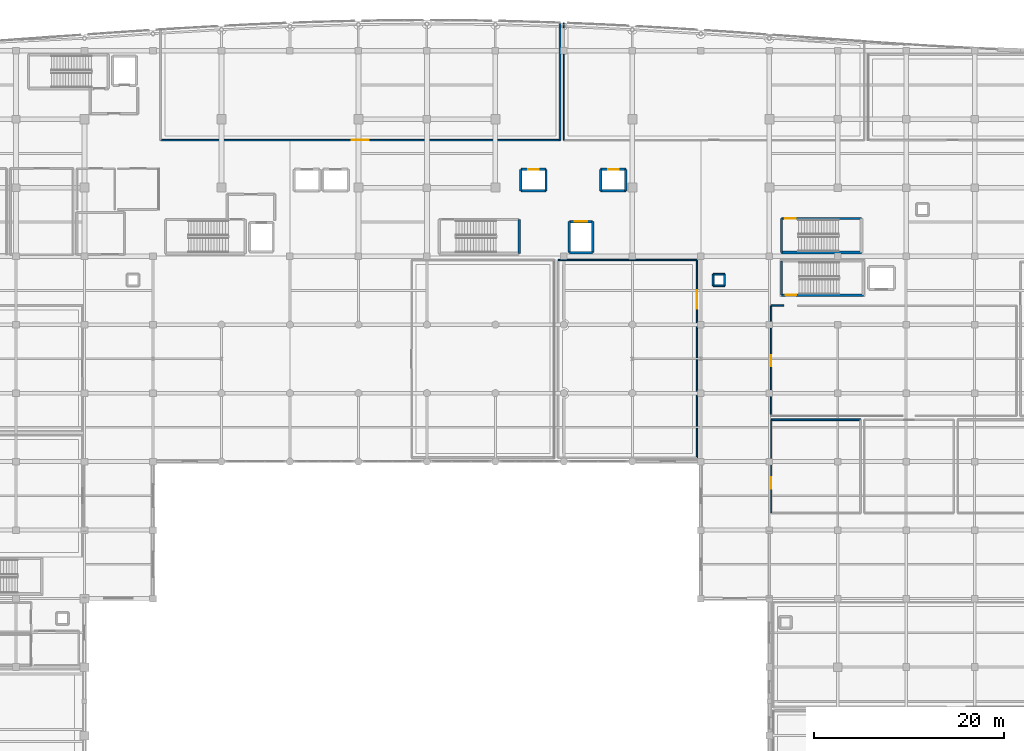
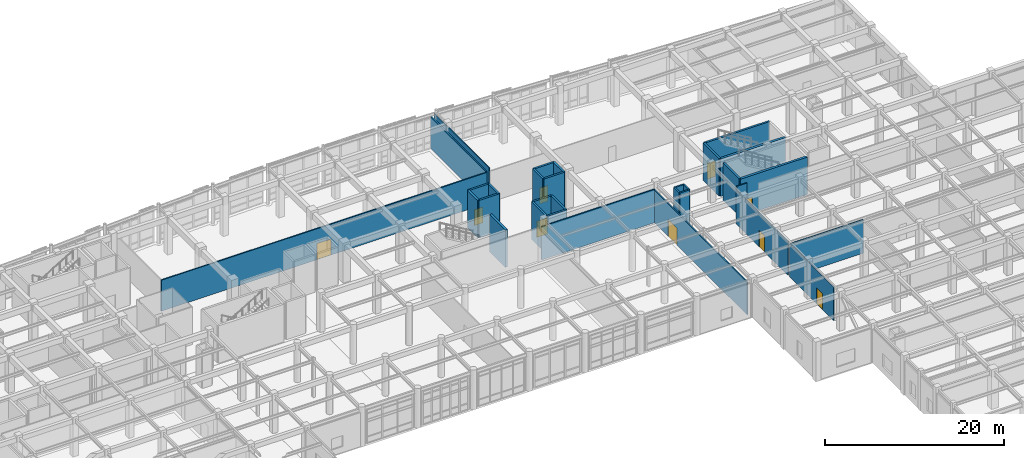
# One storey, part 78 of 102: 31 walls, 9 doors, 9 openings.
"""IFC4 building model written with IfcOpenShell, lengths in metres."""

from ifc_helpers import new_model, si_unit, direction, frame, frame_2d, origin, place, context, subcontext, project, spatial, rectangle, extrude, material, layer, layer_set, type_object, element, fill, save


model = new_model("IFC4")

# Units and contexts
model_context = context("Model", 3, precision=1e-05, world=origin(), true_north=direction((0.0, 1.0)))
body_context = subcontext(model_context, "Body", "Model", "MODEL_VIEW")
ifc_project = project(units=[si_unit("LENGTHUNIT", "METRE"), si_unit("AREAUNIT", "SQUARE_METRE"), si_unit("VOLUMEUNIT", "CUBIC_METRE"), si_unit("PLANEANGLEUNIT", "RADIAN"), si_unit("MASSUNIT", "GRAM", prefix="KILO")], contexts=[model_context])

# Site, building, storey
site_placement = place(None, origin())
site = spatial("IfcSite", under=ifc_project, at=site_placement, CompositionType="ELEMENT")
building_placement = place(site_placement, origin())
building = spatial("IfcBuilding", under=site, at=building_placement, Name="Carrowvane Square Congress Hotel", CompositionType="ELEMENT")
storey_placement = place(building_placement, origin())
storey = spatial("IfcBuildingStorey", under=building, at=storey_placement, Name="L00", CompositionType="ELEMENT", Elevation=0.0)

# Wall
ifc_material_1 = material(Name="Acoustic gypsum board", Category="gypsum")
ifc_layer_1 = layer(ifc_material_1, 0.155029296875)
ifc_layer_set_1 = layer_set([ifc_layer_1], Name="Acoustic gypsum board")
wall_type_1 = type_object("IfcWallType", Name="WL-FIR-155", PredefinedType="PARTITIONING", material=ifc_layer_set_1)
wall_1_placement = place(storey_placement, frame((111.800048828125, 91.39990234375, 0.0), z_axis=(0.0, 0.0, 1.0), x_axis=(1.0, 0.0, 0.0)))
element("IfcWall", 1, at=wall_1_placement, inside=storey, type_object=wall_type_1, Name="L00 Artisan Coffee Roastery and Bakery partition", PredefinedType="PARTITIONING", context=body_context, shape_type="SweptSolid", body=[
    extrude(rectangle(XDim=14.599853515625, YDim=0.155029296875, at=frame_2d((7.2998046875, 0.0))), origin(), (0.0, 0.0, 1.0), 4.54833984375),
])

# Wall, opening, door
wall_2_placement = place(storey_placement, frame((112.0, 104.0, 0.0), z_axis=(0.0, 0.0, 1.0), x_axis=(-1.0, 0.0, 0.0)))
wall_2 = element("IfcWall", 2, at=wall_2_placement, inside=storey, type_object=wall_type_1, Name="L00 Hotel Grand Entrance Lobby and Reception partition", PredefinedType="PARTITIONING", context=body_context, shape_type="SweptSolid", body=[
    extrude(rectangle(XDim=42.0, YDim=0.155029296875, at=frame_2d((21.0, 0.0))), origin(), (0.0, 0.0, 1.0), 4.235107421875),
])
opening_1_placement = place(wall_2_placement, frame((20.10009765625, 0.0, 0.0)))
opening_1 = element("IfcOpeningElement", 3, at=opening_1_placement, cuts=wall_2, Name="Opening FD-05", PredefinedType="OPENING", context=body_context, shape_type="SweptSolid", body=[
    extrude(rectangle(XDim=1.800048828125, YDim=2.199951171875, at=frame_2d((0.89990234375, 1.10009765625))), frame((0.0, 0.08740234375, 0.0), z_axis=(0.0, -1.0, 0.0), x_axis=(1.0, 0.0, 0.0)), (0.0, 0.0, 1.0), 0.175048828125),
])
ifc_material_2 = material(Name="European oak timber", Category="wood")
door_type_1 = type_object("IfcDoorType", Name="DR-FD60-1800x2200", OperationType="DOUBLE_DOOR_SINGLE_SWING", PredefinedType="DOOR", material=ifc_material_2)
door_1_placement = place(opening_1_placement, origin())
door_1 = element("IfcDoor", 4, at=door_1_placement, inside=storey, type_object=door_type_1, Name="L00 Hotel Grand Entrance Lobby and Reception entrance door", OperationType="DOUBLE_DOOR_SINGLE_SWING", OverallHeight=2.199951171875, OverallWidth=1.800048828125, PredefinedType="DOOR", context=body_context, shape_type="SweptSolid", body=[
    extrude(rectangle(XDim=1.800048828125, YDim=2.199951171875, at=frame_2d((0.89990234375, 1.10009765625))), frame((0.0, 0.02490234375, 0.0), z_axis=(0.0, -1.0, 0.0), x_axis=(1.0, 0.0, 0.0)), (0.0, 0.0, 1.0), 0.050048828125),
])
fill(opening_1, door_1)

# Walls
ifc_material_3 = material(Name="Acoustic gypsum board", Category="gypsum")
ifc_layer_2 = layer(ifc_material_3, 0.169921875)
ifc_layer_set_2 = layer_set([ifc_layer_2], Name="Acoustic gypsum board")
wall_type_2 = type_object("IfcWallType", Name="WL-FIR-170", PredefinedType="PARTITIONING", material=ifc_layer_set_2)
wall_3_placement = place(storey_placement, frame((134.199951171875, 74.60009765625, 0.0), z_axis=(0.0, 0.0, 1.0), x_axis=(1.0, 0.0, 0.0)))
element("IfcWall", 5, at=wall_3_placement, inside=storey, type_object=wall_type_2, Name="L00 Syndicate Meeting Room G01 partition", PredefinedType="PARTITIONING", context=body_context, shape_type="SweptSolid", body=[
    extrude(rectangle(XDim=9.400146484375, YDim=0.169921875, at=frame_2d((4.7001953125, 0.0))), origin(), (0.0, 0.0, 1.0), 4.54833984375),
])
wall_4_placement = place(storey_placement, frame((112.0, 116.337890625, 0.0), z_axis=(0.0, 0.0, 1.0), x_axis=(0.0, -1.0, 0.0)))
element("IfcWall", 6, at=wall_4_placement, inside=storey, type_object=wall_type_2, Name="L00 Hotel Grand Entrance Lobby and Reception partition", PredefinedType="PARTITIONING", context=body_context, shape_type="SweptSolid", body=[
    extrude(rectangle(XDim=12.337890625, YDim=0.169921875, at=frame_2d((6.1689453125, 0.0))), origin(), (0.0, 0.0, 1.0), 4.3349609375),
])

# Wall, opening, door
ifc_material_4 = material(Name="European oak timber", Category="wood")
ifc_layer_3 = layer(ifc_material_4, 0.1220703125)
ifc_layer_set_3 = layer_set([ifc_layer_3], Name="European oak timber")
wall_type_3 = type_object("IfcWallType", Name="WL-MOV-122", PredefinedType="MOVABLE", material=ifc_layer_set_3)
wall_5_placement = place(storey_placement, frame((134.199951171875, 64.800048828125, 0.0), z_axis=(0.0, 0.0, 1.0), x_axis=(0.0, 1.0, 0.0)))
wall_5 = element("IfcWall", 7, at=wall_5_placement, inside=storey, type_object=wall_type_3, Name="L00 Syndicate Meeting Room G01 partition", PredefinedType="MOVABLE", context=body_context, shape_type="SweptSolid", body=[
    extrude(rectangle(XDim=9.800048828125, YDim=0.1220703125, at=frame_2d((4.89990234375, 0.0))), origin(), (0.0, 0.0, 1.0), 4.54833984375),
])
opening_2_placement = place(wall_5_placement, frame((2.52490234375, 0.0, 0.0)))
opening_2 = element("IfcOpeningElement", 8, at=opening_2_placement, cuts=wall_5, Name="Opening ID-10", PredefinedType="OPENING", context=body_context, shape_type="SweptSolid", body=[
    extrude(rectangle(XDim=1.25, YDim=2.199951171875, at=frame_2d((0.625, 1.10009765625))), frame((0.0, 0.071044921875, 0.0), z_axis=(0.0, -1.0, 0.0), x_axis=(1.0, 0.0, 0.0)), (0.0, 0.0, 1.0), 0.14208984375),
])
ifc_material_5 = material(Name="European oak timber", Category="wood")
door_type_2 = type_object("IfcDoorType", Name="DR-INT-1250x2200", OperationType="NOTDEFINED", PredefinedType="DOOR", material=ifc_material_5)
door_2_placement = place(opening_2_placement, origin())
door_2 = element("IfcDoor", 9, at=door_2_placement, inside=storey, type_object=door_type_2, Name="L00 Syndicate Meeting Room G01 entrance door", OperationType="SINGLE_SWING_LEFT", OverallHeight=2.199951171875, OverallWidth=1.25, PredefinedType="DOOR", context=body_context, shape_type="SweptSolid", body=[
    extrude(rectangle(XDim=1.25, YDim=2.199951171875, at=frame_2d((0.625, 1.10009765625))), frame((0.0, 0.02490234375, 0.0), z_axis=(0.0, -1.0, 0.0), x_axis=(1.0, 0.0, 0.0)), (0.0, 0.0, 1.0), 0.050048828125),
])
fill(opening_2, door_2)

ifc_material_6 = material(Name="European oak timber", Category="wood")
ifc_layer_4 = layer(ifc_material_6, 0.14208984375)
ifc_layer_set_4 = layer_set([ifc_layer_4], Name="European oak timber")
wall_type_4 = type_object("IfcWallType", Name="WL-MOV-142", PredefinedType="MOVABLE", material=ifc_layer_set_4)
wall_6_placement = place(storey_placement, frame((134.199951171875, 75.0, 0.0), z_axis=(0.0, 0.0, 1.0), x_axis=(0.0, 1.0, 0.0)))
wall_6 = element("IfcWall", 10, at=wall_6_placement, inside=storey, type_object=wall_type_4, Name="L00 Congress Organiser Secretariat Suite partition", PredefinedType="MOVABLE", context=body_context, shape_type="SweptSolid", body=[
    extrude(rectangle(XDim=11.60009765625, YDim=0.14208984375, at=frame_2d((5.800048828125, 0.0))), origin(), (0.0, 0.0, 1.0), 4.54833984375),
])
opening_3_placement = place(wall_6_placement, frame((5.2099609375, 0.0, 0.0)))
opening_3 = element("IfcOpeningElement", 11, at=opening_3_placement, cuts=wall_6, Name="Opening ID-23", PredefinedType="OPENING", context=body_context, shape_type="SweptSolid", body=[
    extrude(rectangle(XDim=1.179931640625, YDim=2.219970703125, at=frame_2d((0.58984375, 1.10986328125))), frame((0.0, 0.0810546875, 0.0), z_axis=(0.0, -1.0, 0.0), x_axis=(1.0, 0.0, 0.0)), (0.0, 0.0, 1.0), 0.162109375),
])
ifc_material_7 = material(Name="European oak timber", Category="wood")
door_type_3 = type_object("IfcDoorType", Name="DR-INT-1180x2220", OperationType="NOTDEFINED", PredefinedType="DOOR", material=ifc_material_7)
door_3_placement = place(opening_3_placement, origin())
door_3 = element("IfcDoor", 12, at=door_3_placement, inside=storey, type_object=door_type_3, Name="L00 Congress Organiser Secretariat Suite entrance door", OperationType="SINGLE_SWING_RIGHT", OverallHeight=2.219970703125, OverallWidth=1.179931640625, PredefinedType="DOOR", context=body_context, shape_type="SweptSolid", body=[
    extrude(rectangle(XDim=1.179931640625, YDim=2.219970703125, at=frame_2d((0.58984375, 1.10986328125))), frame((0.0, 0.02490234375, 0.0), z_axis=(0.0, -1.0, 0.0), x_axis=(1.0, 0.0, 0.0)), (0.0, 0.0, 1.0), 0.050048828125),
])
fill(opening_3, door_3)

# Walls
ifc_material_8 = material(Name="Standing-seam zinc cladding", Category="metal")
ifc_layer_5 = layer(ifc_material_8, 0.195068359375)
ifc_layer_set_5 = layer_set([ifc_layer_5], Name="Standing-seam zinc cladding")
wall_type_5 = type_object("IfcWallType", Name="WL-PAR-195", PredefinedType="PARAPET", material=ifc_layer_set_5)
for number, where, z_axis, x_axis, name in (
    (13, (128.10009765625, 88.699951171875, 0.0), (0.0, 0.0, 1.0), (1.0, 0.0, 0.0), "L00 service riser RSR-V3 enclosure S"),
    (14, (129.300048828125, 88.699951171875, 0.0), (0.0, 0.0, 1.0), (0.0, 1.0, 0.0), "L00 service riser RSR-V3 enclosure E"),
    (15, (129.300048828125, 89.89990234375, 0.0), (0.0, 0.0, 1.0), (-1.0, 0.0, 0.0), "L00 service riser RSR-V3 enclosure N"),
    (16, (128.10009765625, 89.89990234375, 0.0), (0.0, 0.0, 1.0), (0.0, -1.0, 0.0), "L00 service riser RSR-V3 enclosure W"),
):
    element("IfcWall", number, at=place(storey_placement, frame(where, z_axis=z_axis, x_axis=x_axis)), inside=storey, type_object=wall_type_5, Name=name, PredefinedType="PARAPET", context=body_context, shape_type="SweptSolid", body=[
        extrude(rectangle(XDim=1.199951171875, YDim=0.195068359375, at=frame_2d((0.60009765625, 0.0))), origin(), (0.0, 0.0, 1.0), 5.10009765625),
    ])
ifc_material_9 = material(Name="Acoustic gypsum board", Category="gypsum")
ifc_layer_6 = layer(ifc_material_9, 0.10791015625)
ifc_layer_set_6 = layer_set([ifc_layer_6], Name="Acoustic gypsum board")
wall_type_6 = type_object("IfcWallType", Name="WL-PRT-108", PredefinedType="PARTITIONING", material=ifc_layer_set_6)
wall_7_placement = place(storey_placement, frame((112.39990234375, 104.0, 0.0), z_axis=(0.0, 0.0, 1.0), x_axis=(0.0, 1.0, 0.0)))
element("IfcWall", 17, at=wall_7_placement, inside=storey, type_object=wall_type_6, Name="L00 Carrowvane Brasserie Restaurant partition", PredefinedType="PARTITIONING", context=body_context, shape_type="SweptSolid", body=[
    extrude(rectangle(XDim=12.323974609375, YDim=0.10791015625, at=frame_2d((6.162109375, 0.0))), origin(), (0.0, 0.0, 1.0), 4.675537109375),
])
ifc_material_10 = material(Name="Acoustic gypsum board", Category="gypsum")
ifc_layer_7 = layer(ifc_material_10, 0.137939453125)
ifc_layer_set_7 = layer_set([ifc_layer_7], Name="Acoustic gypsum board")
wall_type_7 = type_object("IfcWallType", Name="WL-PRT-138", PredefinedType="PARTITIONING", material=ifc_layer_set_7)
wall_8_placement = place(storey_placement, frame((134.199951171875, 86.60009765625, 0.0), z_axis=(0.0, 0.0, 1.0), x_axis=(1.0, 0.0, 0.0)))
element("IfcWall", 18, at=wall_8_placement, inside=storey, type_object=wall_type_7, Name="L00 Congress Organiser Secretariat Suite partition", PredefinedType="PARTITIONING", context=body_context, shape_type="SweptSolid", body=[
    extrude(rectangle(XDim=1.344970703125, YDim=0.137939453125, at=frame_2d((0.67236328125, 0.0))), origin(), (0.0, 0.0, 1.0), 5.10009765625),
])

# Wall, opening, door
ifc_material_11 = material(Name="Acoustic gypsum board", Category="gypsum")
ifc_layer_8 = layer(ifc_material_11, 0.14794921875)
ifc_layer_set_8 = layer_set([ifc_layer_8], Name="Acoustic gypsum board")
wall_type_8 = type_object("IfcWallType", Name="WL-PRT-148", PredefinedType="PARTITIONING", material=ifc_layer_set_8)
wall_9_placement = place(storey_placement, frame((126.39990234375, 91.39990234375, 0.0), z_axis=(0.0, 0.0, 1.0), x_axis=(0.0, -1.0, 0.0)))
wall_9 = element("IfcWall", 19, at=wall_9_placement, inside=storey, type_object=wall_type_8, Name="L00 Artisan Coffee Roastery and Bakery partition", PredefinedType="PARTITIONING", context=body_context, shape_type="SweptSolid", body=[
    extrude(rectangle(XDim=20.7998046875, YDim=0.14794921875, at=frame_2d((10.39990234375, 0.0))), origin(), (0.0, 0.0, 1.0), 4.43505859375),
])
opening_4_placement = place(wall_9_placement, frame((3.175048828125, 0.0, 0.0)))
opening_4 = element("IfcOpeningElement", 20, at=opening_4_placement, cuts=wall_9, Name="Opening ID-14", PredefinedType="OPENING", context=body_context, shape_type="SweptSolid", body=[
    extrude(rectangle(XDim=1.949951171875, YDim=2.35009765625, at=frame_2d((0.97509765625, 1.175048828125))), frame((0.0, 0.083984375, 0.0), z_axis=(0.0, -1.0, 0.0), x_axis=(1.0, 0.0, 0.0)), (0.0, 0.0, 1.0), 0.16796875),
])
ifc_material_12 = material(Name="European oak timber", Category="wood")
door_type_4 = type_object("IfcDoorType", Name="DR-INT-1950x2350", OperationType="DOUBLE_DOOR_SINGLE_SWING", PredefinedType="DOOR", material=ifc_material_12)
door_4_placement = place(opening_4_placement, origin())
door_4 = element("IfcDoor", 21, at=door_4_placement, inside=storey, type_object=door_type_4, Name="L00 Artisan Coffee Roastery and Bakery entrance door", OperationType="DOUBLE_DOOR_SINGLE_SWING", OverallHeight=2.35009765625, OverallWidth=1.949951171875, PredefinedType="DOOR", context=body_context, shape_type="SweptSolid", body=[
    extrude(rectangle(XDim=1.949951171875, YDim=2.35009765625, at=frame_2d((0.97509765625, 1.175048828125))), frame((0.0, 0.02490234375, 0.0), z_axis=(0.0, -1.0, 0.0), x_axis=(1.0, 0.0, 0.0)), (0.0, 0.0, 1.0), 0.050048828125),
])
fill(opening_4, door_4)

# Walls
ifc_material_13 = material(Name="Concrete C40/50", Category="concrete")
ifc_layer_9 = layer(ifc_material_13, 0.22509765625)
ifc_layer_set_9 = layer_set([ifc_layer_9], Name="Concrete C40/50")
wall_type_9 = type_object("IfcWallType", Name="WL-SHR-225", PredefinedType="SHEAR", material=ifc_layer_set_9)
wall_10_placement = place(storey_placement, frame((135.300048828125, 91.300048828125, 0.0), z_axis=(0.0, 0.0, 1.0), x_axis=(0.0, -1.0, 0.0)))
element("IfcWall", 22, at=wall_10_placement, inside=storey, type_object=wall_type_9, Name="L00 ST8 core wall west", PredefinedType="SHEAR", context=body_context, shape_type="SweptSolid", body=[
    extrude(rectangle(XDim=3.60009765625, YDim=0.22509765625, at=frame_2d((1.800048828125, 0.0))), origin(), (0.0, 0.0, 1.0), 5.10009765625),
])
wall_11_placement = place(storey_placement, frame((135.300048828125, 95.760009765625, 0.0), z_axis=(0.0, 0.0, 1.0), x_axis=(0.0, -1.0, 0.0)))
element("IfcWall", 23, at=wall_11_placement, inside=storey, type_object=wall_type_9, Name="L00 ST12 core wall west", PredefinedType="SHEAR", context=body_context, shape_type="SweptSolid", body=[
    extrude(rectangle(XDim=3.56005859375, YDim=0.22509765625, at=frame_2d((1.780029296875, 0.0))), origin(), (0.0, 0.0, 1.0), 5.10009765625),
])

# Wall, opening, door
ifc_material_14 = material(Name="Concrete C40/50", Category="concrete")
ifc_layer_10 = layer(ifc_material_14, 0.25)
ifc_layer_set_10 = layer_set([ifc_layer_10], Name="Concrete C40/50")
wall_type_10 = type_object("IfcWallType", Name="WL-SHR-250", PredefinedType="SHEAR", material=ifc_layer_set_10)
wall_12_placement = place(storey_placement, frame((143.699951171875, 95.760009765625, 0.0), z_axis=(0.0, 0.0, 1.0), x_axis=(-1.0, 0.0, 0.0)))
wall_12 = element("IfcWall", 24, at=wall_12_placement, inside=storey, type_object=wall_type_10, Name="L00 ST12 core wall north", PredefinedType="SHEAR", context=body_context, shape_type="SweptSolid", body=[
    extrude(rectangle(XDim=8.39990234375, YDim=0.25, at=frame_2d((4.199951171875, 0.0))), origin(), (0.0, 0.0, 1.0), 5.10009765625),
])
opening_5_placement = place(wall_12_placement, frame((6.909912109375, 0.0, 0.0)))
opening_5 = element("IfcOpeningElement", 25, at=opening_5_placement, cuts=wall_12, Name="Opening FD-01", PredefinedType="OPENING", context=body_context, shape_type="SweptSolid", body=[
    extrude(rectangle(XDim=1.10009765625, YDim=2.10009765625, at=frame_2d((0.550048828125, 1.050048828125))), frame((0.0, 0.135009765625, 0.0), z_axis=(0.0, -1.0, 0.0), x_axis=(1.0, 0.0, 0.0)), (0.0, 0.0, 1.0), 0.27001953125),
])
ifc_material_15 = material(Name="European oak timber", Category="wood")
door_type_5 = type_object("IfcDoorType", Name="DR-FD60-1100x2100", OperationType="NOTDEFINED", PredefinedType="DOOR", material=ifc_material_15)
door_5_placement = place(opening_5_placement, origin())
door_5 = element("IfcDoor", 26, at=door_5_placement, inside=storey, type_object=door_type_5, Name="L00 ST12 fire door", OperationType="SINGLE_SWING_LEFT", OverallHeight=2.10009765625, OverallWidth=1.10009765625, PredefinedType="DOOR", context=body_context, shape_type="SweptSolid", body=[
    extrude(rectangle(XDim=1.10009765625, YDim=2.10009765625, at=frame_2d((0.550048828125, 1.050048828125))), frame((0.0, 0.02490234375, 0.0), z_axis=(0.0, -1.0, 0.0), x_axis=(1.0, 0.0, 0.0)), (0.0, 0.0, 1.0), 0.050048828125),
])
fill(opening_5, door_5)

# Walls
wall_13_placement = place(storey_placement, frame((107.875, 98.675048828125, 0.0), z_axis=(0.0, 0.0, 1.0), x_axis=(1.0, 0.0, 0.0)))
element("IfcWall", 27, at=wall_13_placement, inside=storey, type_object=wall_type_10, Name="L00 HL-3 shaft wall south", PredefinedType="SHEAR", context=body_context, shape_type="SweptSolid", body=[
    extrude(rectangle(XDim=2.64990234375, YDim=0.25, at=frame_2d((1.324951171875, 0.0))), origin(), (0.0, 0.0, 1.0), 5.10009765625),
])
wall_14_placement = place(storey_placement, frame((110.52490234375, 98.675048828125, 0.0), z_axis=(0.0, 0.0, 1.0), x_axis=(0.0, 1.0, 0.0)))
element("IfcWall", 28, at=wall_14_placement, inside=storey, type_object=wall_type_10, Name="L00 HL-3 shaft wall east", PredefinedType="SHEAR", context=body_context, shape_type="SweptSolid", body=[
    extrude(rectangle(XDim=2.25, YDim=0.25, at=frame_2d((1.125, 0.0))), origin(), (0.0, 0.0, 1.0), 5.10009765625),
])

# Wall, opening, door
wall_15_placement = place(storey_placement, frame((110.52490234375, 100.925048828125, 0.0), z_axis=(0.0, 0.0, 1.0), x_axis=(-1.0, 0.0, 0.0)))
wall_15 = element("IfcWall", 29, at=wall_15_placement, inside=storey, type_object=wall_type_10, Name="L00 HL-3 shaft wall north", PredefinedType="SHEAR", context=body_context, shape_type="SweptSolid", body=[
    extrude(rectangle(XDim=2.64990234375, YDim=0.25, at=frame_2d((1.324951171875, 0.0))), origin(), (0.0, 0.0, 1.0), 5.10009765625),
])
opening_6_placement = place(wall_15_placement, frame((0.77490234375, 0.0, 0.0)))
opening_6 = element("IfcOpeningElement", 30, at=opening_6_placement, cuts=wall_15, Name="Opening LD-HL-3", PredefinedType="OPENING", context=body_context, shape_type="SweptSolid", body=[
    extrude(rectangle(XDim=1.10009765625, YDim=2.14990234375, at=frame_2d((0.550048828125, 1.074951171875))), frame((0.0, 0.135009765625, 0.0), z_axis=(0.0, -1.0, 0.0), x_axis=(1.0, 0.0, 0.0)), (0.0, 0.0, 1.0), 0.27001953125),
])
ifc_material_16 = material(Name="Stainless steel 316", Category="steel")
door_type_6 = type_object("IfcDoorType", Name="DR-LD-1100x2150", OperationType="DOUBLE_DOOR_SLIDING", PredefinedType="DOOR", material=ifc_material_16)
door_6_placement = place(opening_6_placement, origin())
door_6 = element("IfcDoor", 31, at=door_6_placement, inside=storey, type_object=door_type_6, Name="L00 HL-3 sliding lift landing door", OperationType="DOUBLE_DOOR_SLIDING", OverallHeight=2.14990234375, OverallWidth=1.10009765625, PredefinedType="DOOR", context=body_context, shape_type="SweptSolid", body=[
    extrude(rectangle(XDim=1.10009765625, YDim=2.14990234375, at=frame_2d((0.550048828125, 1.074951171875))), frame((0.0, 0.02490234375, 0.0), z_axis=(0.0, -1.0, 0.0), x_axis=(1.0, 0.0, 0.0)), (0.0, 0.0, 1.0), 0.050048828125),
])
fill(opening_6, door_6)

# Walls
wall_16_placement = place(storey_placement, frame((107.875, 100.925048828125, 0.0), z_axis=(0.0, 0.0, 1.0), x_axis=(0.0, -1.0, 0.0)))
element("IfcWall", 32, at=wall_16_placement, inside=storey, type_object=wall_type_10, Name="L00 HL-3 shaft wall west", PredefinedType="SHEAR", context=body_context, shape_type="SweptSolid", body=[
    extrude(rectangle(XDim=2.25, YDim=0.25, at=frame_2d((1.125, 0.0))), origin(), (0.0, 0.0, 1.0), 5.10009765625),
])
wall_17_placement = place(storey_placement, frame((116.27490234375, 98.675048828125, 0.0), z_axis=(0.0, 0.0, 1.0), x_axis=(1.0, 0.0, 0.0)))
element("IfcWall", 33, at=wall_17_placement, inside=storey, type_object=wall_type_10, Name="L00 HL-4 shaft wall south", PredefinedType="SHEAR", context=body_context, shape_type="SweptSolid", body=[
    extrude(rectangle(XDim=2.650146484375, YDim=0.25, at=frame_2d((1.3251953125, 0.0))), origin(), (0.0, 0.0, 1.0), 5.10009765625),
])
wall_18_placement = place(storey_placement, frame((118.925048828125, 98.675048828125, 0.0), z_axis=(0.0, 0.0, 1.0), x_axis=(0.0, 1.0, 0.0)))
element("IfcWall", 34, at=wall_18_placement, inside=storey, type_object=wall_type_10, Name="L00 HL-4 shaft wall east", PredefinedType="SHEAR", context=body_context, shape_type="SweptSolid", body=[
    extrude(rectangle(XDim=2.25, YDim=0.25, at=frame_2d((1.125, 0.0))), origin(), (0.0, 0.0, 1.0), 5.10009765625),
])

# Wall, opening, door
wall_19_placement = place(storey_placement, frame((118.925048828125, 100.925048828125, 0.0), z_axis=(0.0, 0.0, 1.0), x_axis=(-1.0, 0.0, 0.0)))
wall_19 = element("IfcWall", 35, at=wall_19_placement, inside=storey, type_object=wall_type_10, Name="L00 HL-4 shaft wall north", PredefinedType="SHEAR", context=body_context, shape_type="SweptSolid", body=[
    extrude(rectangle(XDim=2.650146484375, YDim=0.25, at=frame_2d((1.3251953125, 0.0))), origin(), (0.0, 0.0, 1.0), 5.10009765625),
])
opening_7_placement = place(wall_19_placement, frame((0.77490234375, 0.0, 0.0)))
opening_7 = element("IfcOpeningElement", 36, at=opening_7_placement, cuts=wall_19, Name="Opening LD-HL-4", PredefinedType="OPENING", context=body_context, shape_type="SweptSolid", body=[
    extrude(rectangle(XDim=1.10009765625, YDim=2.14990234375, at=frame_2d((0.550048828125, 1.074951171875))), frame((0.0, 0.135009765625, 0.0), z_axis=(0.0, -1.0, 0.0), x_axis=(1.0, 0.0, 0.0)), (0.0, 0.0, 1.0), 0.27001953125),
])
door_7_placement = place(opening_7_placement, origin())
door_7 = element("IfcDoor", 37, at=door_7_placement, inside=storey, type_object=door_type_6, Name="L00 HL-4 sliding lift landing door", OperationType="DOUBLE_DOOR_SLIDING", OverallHeight=2.14990234375, OverallWidth=1.10009765625, PredefinedType="DOOR", context=body_context, shape_type="SweptSolid", body=[
    extrude(rectangle(XDim=1.10009765625, YDim=2.14990234375, at=frame_2d((0.550048828125, 1.074951171875))), frame((0.0, 0.02490234375, 0.0), z_axis=(0.0, -1.0, 0.0), x_axis=(1.0, 0.0, 0.0)), (0.0, 0.0, 1.0), 0.050048828125),
])
fill(opening_7, door_7)

# Walls
wall_20_placement = place(storey_placement, frame((116.27490234375, 100.925048828125, 0.0), z_axis=(0.0, 0.0, 1.0), x_axis=(0.0, -1.0, 0.0)))
element("IfcWall", 38, at=wall_20_placement, inside=storey, type_object=wall_type_10, Name="L00 HL-4 shaft wall west", PredefinedType="SHEAR", context=body_context, shape_type="SweptSolid", body=[
    extrude(rectangle(XDim=2.25, YDim=0.25, at=frame_2d((1.125, 0.0))), origin(), (0.0, 0.0, 1.0), 5.10009765625),
])
wall_21_placement = place(storey_placement, frame((112.97509765625, 92.175048828125, 0.0), z_axis=(0.0, 0.0, 1.0), x_axis=(1.0, 0.0, 0.0)))
element("IfcWall", 39, at=wall_21_placement, inside=storey, type_object=wall_type_10, Name="L00 SL-2 shaft wall south", PredefinedType="SHEAR", context=body_context, shape_type="SweptSolid", body=[
    extrude(rectangle(XDim=2.449951171875, YDim=0.25, at=frame_2d((1.22509765625, 0.0))), origin(), (0.0, 0.0, 1.0), 5.10009765625),
])
wall_22_placement = place(storey_placement, frame((115.425048828125, 92.175048828125, 0.0), z_axis=(0.0, 0.0, 1.0), x_axis=(0.0, 1.0, 0.0)))
element("IfcWall", 40, at=wall_22_placement, inside=storey, type_object=wall_type_10, Name="L00 SL-2 shaft wall east", PredefinedType="SHEAR", context=body_context, shape_type="SweptSolid", body=[
    extrude(rectangle(XDim=3.25, YDim=0.25, at=frame_2d((1.625, 0.0))), origin(), (0.0, 0.0, 1.0), 5.10009765625),
])

# Wall, opening, door
wall_23_placement = place(storey_placement, frame((115.425048828125, 95.425048828125, 0.0), z_axis=(0.0, 0.0, 1.0), x_axis=(-1.0, 0.0, 0.0)))
wall_23 = element("IfcWall", 41, at=wall_23_placement, inside=storey, type_object=wall_type_10, Name="L00 SL-2 shaft wall north", PredefinedType="SHEAR", context=body_context, shape_type="SweptSolid", body=[
    extrude(rectangle(XDim=2.449951171875, YDim=0.25, at=frame_2d((1.22509765625, 0.0))), origin(), (0.0, 0.0, 1.0), 5.10009765625),
])
opening_8_placement = place(wall_23_placement, frame((0.550048828125, 0.0, 0.0)))
opening_8 = element("IfcOpeningElement", 42, at=opening_8_placement, cuts=wall_23, Name="Opening LD-SL-2", PredefinedType="OPENING", context=body_context, shape_type="SweptSolid", body=[
    extrude(rectangle(XDim=1.35009765625, YDim=2.199951171875, at=frame_2d((0.675048828125, 1.10009765625))), frame((0.0, 0.135009765625, 0.0), z_axis=(0.0, -1.0, 0.0), x_axis=(1.0, 0.0, 0.0)), (0.0, 0.0, 1.0), 0.27001953125),
])
ifc_material_17 = material(Name="Stainless steel 316", Category="steel")
door_type_7 = type_object("IfcDoorType", Name="DR-LD-1350x2200", OperationType="DOUBLE_DOOR_SLIDING", PredefinedType="DOOR", material=ifc_material_17)
door_8_placement = place(opening_8_placement, origin())
door_8 = element("IfcDoor", 43, at=door_8_placement, inside=storey, type_object=door_type_7, Name="L00 SL-2 sliding lift landing door", OperationType="DOUBLE_DOOR_SLIDING", OverallHeight=2.199951171875, OverallWidth=1.35009765625, PredefinedType="DOOR", context=body_context, shape_type="SweptSolid", body=[
    extrude(rectangle(XDim=1.35009765625, YDim=2.199951171875, at=frame_2d((0.675048828125, 1.10009765625))), frame((0.0, 0.02490234375, 0.0), z_axis=(0.0, -1.0, 0.0), x_axis=(1.0, 0.0, 0.0)), (0.0, 0.0, 1.0), 0.050048828125),
])
fill(opening_8, door_8)

# Walls
wall_24_placement = place(storey_placement, frame((112.97509765625, 95.425048828125, 0.0), z_axis=(0.0, 0.0, 1.0), x_axis=(0.0, -1.0, 0.0)))
element("IfcWall", 44, at=wall_24_placement, inside=storey, type_object=wall_type_10, Name="L00 SL-2 shaft wall west", PredefinedType="SHEAR", context=body_context, shape_type="SweptSolid", body=[
    extrude(rectangle(XDim=3.25, YDim=0.25, at=frame_2d((1.625, 0.0))), origin(), (0.0, 0.0, 1.0), 5.10009765625),
])
ifc_material_18 = material(Name="Concrete C40/50", Category="concrete")
ifc_layer_11 = layer(ifc_material_18, 0.27490234375)
ifc_layer_set_11 = layer_set([ifc_layer_11], Name="Concrete C40/50")
wall_type_11 = type_object("IfcWallType", Name="WL-SHR-275", PredefinedType="SHEAR", material=ifc_layer_set_11)
wall_25_placement = place(storey_placement, frame((107.699951171875, 92.10009765625, 0.0), z_axis=(0.0, 0.0, 1.0), x_axis=(0.0, 1.0, 0.0)))
element("IfcWall", 45, at=wall_25_placement, inside=storey, type_object=wall_type_11, Name="L00 ST3 core wall east", PredefinedType="SHEAR", context=body_context, shape_type="SweptSolid", body=[
    extrude(rectangle(XDim=3.559814453125, YDim=0.27490234375, at=frame_2d((1.77978515625, 0.0))), origin(), (0.0, 0.0, 1.0), 5.10009765625),
])

# Wall, opening, door
ifc_material_19 = material(Name="Concrete C40/50", Category="concrete")
ifc_layer_12 = layer(ifc_material_19, 0.300048828125)
ifc_layer_set_12 = layer_set([ifc_layer_12], Name="Concrete C40/50")
wall_type_12 = type_object("IfcWallType", Name="WL-SHR-300", PredefinedType="SHEAR", material=ifc_layer_set_12)
wall_26_placement = place(storey_placement, frame((135.300048828125, 87.699951171875, 0.0), z_axis=(0.0, 0.0, 1.0), x_axis=(1.0, 0.0, 0.0)))
wall_26 = element("IfcWall", 46, at=wall_26_placement, inside=storey, type_object=wall_type_12, Name="L00 ST8 core wall south", PredefinedType="SHEAR", context=body_context, shape_type="SweptSolid", body=[
    extrude(rectangle(XDim=8.599853515625, YDim=0.300048828125, at=frame_2d((4.2998046875, 0.0))), origin(), (0.0, 0.0, 1.0), 5.10009765625),
])
opening_9_placement = place(wall_26_placement, frame((0.425048828125, 0.0, 0.0)))
opening_9 = element("IfcOpeningElement", 47, at=opening_9_placement, cuts=wall_26, Name="Opening FD-01", PredefinedType="OPENING", context=body_context, shape_type="SweptSolid", body=[
    extrude(rectangle(XDim=1.10009765625, YDim=2.10009765625, at=frame_2d((0.550048828125, 1.050048828125))), frame((0.0, 0.159912109375, 0.0), z_axis=(0.0, -1.0, 0.0), x_axis=(1.0, 0.0, 0.0)), (0.0, 0.0, 1.0), 0.320068359375),
])
door_9_placement = place(opening_9_placement, origin())
door_9 = element("IfcDoor", 48, at=door_9_placement, inside=storey, type_object=door_type_5, Name="L00 ST8 fire door", OperationType="SINGLE_SWING_LEFT", OverallHeight=2.10009765625, OverallWidth=1.10009765625, PredefinedType="DOOR", context=body_context, shape_type="SweptSolid", body=[
    extrude(rectangle(XDim=1.10009765625, YDim=2.10009765625, at=frame_2d((0.550048828125, 1.050048828125))), frame((0.0, 0.02490234375, 0.0), z_axis=(0.0, -1.0, 0.0), x_axis=(1.0, 0.0, 0.0)), (0.0, 0.0, 1.0), 0.050048828125),
])
fill(opening_9, door_9)

# Wall
wall_27_placement = place(storey_placement, frame((135.300048828125, 92.199951171875, 0.0), z_axis=(0.0, 0.0, 1.0), x_axis=(1.0, 0.0, 0.0)))
element("IfcWall", 49, at=wall_27_placement, inside=storey, type_object=wall_type_12, Name="L00 ST12 core wall south", PredefinedType="SHEAR", context=body_context, shape_type="SweptSolid", body=[
    extrude(rectangle(XDim=8.39990234375, YDim=0.300048828125, at=frame_2d((4.199951171875, 0.0))), origin(), (0.0, 0.0, 1.0), 5.10009765625),
])

save(model, "model.ifc")
